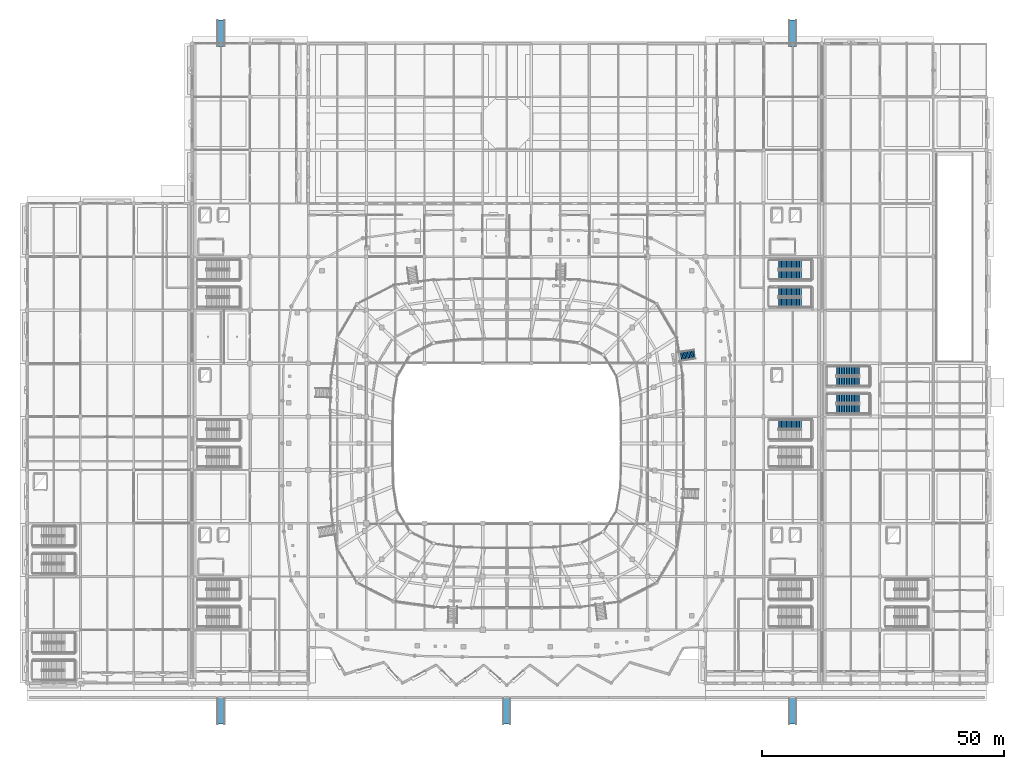
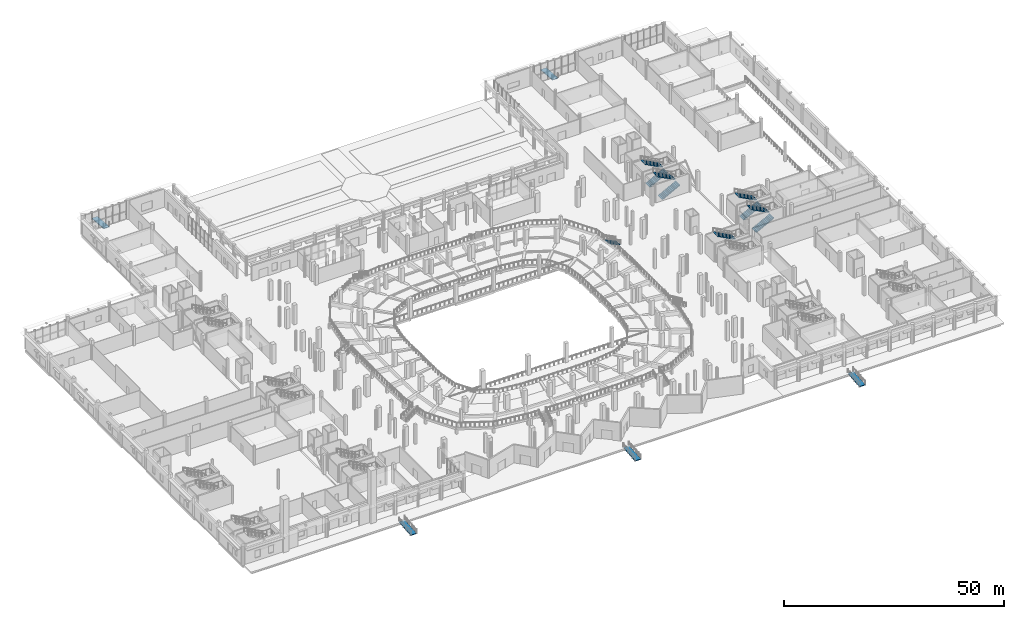
# One storey, part 73 of 120: 10 stair flights, 5 ramp flights, 11 elements without a shape of their own.
"""IFC4 building model written with IfcOpenShell, lengths in metres."""

from ifc_helpers import new_model, si_unit, direction, frame, origin, place, context, subcontext, project, spatial, polyline, outline, extrude, material, layer, layer_set, type_object, element, aggregate, save


model = new_model("IFC4")

# Units and contexts
model_context = context("Model", 3, precision=1e-05, world=origin(), true_north=direction((0.0, 1.0)))
body_context = subcontext(model_context, "Body", "Model", "MODEL_VIEW")
ifc_project = project(units=[si_unit("LENGTHUNIT", "METRE"), si_unit("AREAUNIT", "SQUARE_METRE"), si_unit("VOLUMEUNIT", "CUBIC_METRE"), si_unit("PLANEANGLEUNIT", "RADIAN"), si_unit("MASSUNIT", "GRAM", prefix="KILO")], contexts=[model_context])

# Site, building, storey
site_placement = place(None, origin())
site = spatial("IfcSite", under=ifc_project, at=site_placement, CompositionType="ELEMENT")
building_placement = place(site_placement, origin())
building = spatial("IfcBuilding", under=site, at=building_placement, Name="Luwafu Chhajja Arena", CompositionType="ELEMENT")
storey_placement = place(building_placement, origin())
storey = spatial("IfcBuildingStorey", under=building, at=storey_placement, Name="L00", CompositionType="ELEMENT", Elevation=0.0)

# Stair, stair flight
ifc_material_1 = material(Name="Precast concrete C40/50", Category="concrete")
stair_type_1 = type_object("IfcStairType", Name="Bowl Lower Vomitory Straight Stair 1820", PredefinedType="STRAIGHT_RUN_STAIR", material=ifc_material_1)
stair_1_placement = place(storey_placement, origin())
stair_1 = element("IfcStair", 1, at=stair_1_placement, inside=storey, type_object=stair_type_1, Name="L00 Bowl Vomitory Stair VM-01", PredefinedType="STRAIGHT_RUN_STAIR")
ifc_layer_1 = layer(ifc_material_1, 0.179931640625, Name="Precast concrete C40/50")
ifc_layer_set_1 = layer_set([ifc_layer_1], Name="Precast concrete C40/50")
stair_flight_type_1 = type_object("IfcStairFlightType", Name="Precast Vomitory Stair Flight 1820", PredefinedType="STRAIGHT", material=ifc_layer_set_1)
stair_flight_1_placement = place(storey_placement, frame((137.782470703125, 67.899658203125, 0.0), z_axis=(0.0, 0.0, 1.0), x_axis=(-0.987925008077, -0.154932819044, 0.0)))
stair_flight_1 = element("IfcStairFlight", 2, at=stair_flight_1_placement, type_object=stair_flight_type_1, Name="L00 Vomitory VM-01 StairFlight", NumberOfRisers=12, NumberOfTreads=11, PredefinedType="STRAIGHT", RiserHeight=0.154166667, TreadLength=0.285, context=body_context, shape_type="SweptSolid", body=[
    extrude(outline(polyline([(0.0, 0.0), (0.0, 0.154052734375), (0.284912109375, 0.154052734375), (0.284912109375, 0.308349609375), (0.570068359375, 0.308349609375), (0.570068359375, 0.46240234375), (0.85498046875, 0.46240234375), (0.85498046875, 0.61669921875), (1.139892578125, 0.61669921875), (1.139892578125, 0.770751953125), (1.425048828125, 0.770751953125), (1.425048828125, 0.925048828125), (1.7099609375, 0.925048828125), (1.7099609375, 1.0791015625), (1.9951171875, 1.0791015625), (1.9951171875, 1.2333984375), (2.280029296875, 1.2333984375), (2.280029296875, 1.387451171875), (2.56494140625, 1.387451171875), (2.56494140625, 1.541748046875), (2.85009765625, 1.541748046875), (2.85009765625, 1.69580078125), (3.135009765625, 1.69580078125), (3.135009765625, 1.85009765625), (3.135009765625, 1.4912109375), (0.378173828125, 0.0), (0.0, 0.0)])), frame((0.0, 0.91015625, 0.0), z_axis=(0.0, -1.0, 0.0), x_axis=(1.0, 0.0, 0.0)), (0.0, 0.0, 1.0), 1.820068359375),
])
aggregate(stair_1, [stair_flight_1])

# Stair, stair flights
ifc_material_2 = material(Name="Concrete C35/45", Category="concrete")
stair_type_2 = type_object("IfcStairType", Name="Quadrant Protected Dog-Leg Stair 1920", PredefinedType="HALF_TURN_STAIR", material=ifc_material_2)
stair_2_placement = place(storey_placement, origin())
stair_2 = element("IfcStair", 3, at=stair_2_placement, inside=storey, type_object=stair_type_2, Name="L00 Protected Escape Stair ST-07", PredefinedType="HALF_TURN_STAIR")
ifc_layer_2 = layer(ifc_material_2, 0.169921875, Name="Concrete C35/45")
ifc_layer_set_2 = layer_set([ifc_layer_2], Name="Concrete C35/45")
stair_flight_type_2 = type_object("IfcStairFlightType", Name="RC Escape Stair Flight 1920", PredefinedType="STRAIGHT", material=ifc_layer_set_2)
stair_flight_2_placement = place(storey_placement, frame((155.02001953125, 78.610107421875, 0.0), z_axis=(0.0, 0.0, 1.0), x_axis=(1.0, 0.0, 0.0)))
stair_flight_2 = element("IfcStairFlight", 4, at=stair_flight_2_placement, type_object=stair_flight_type_2, Name="ST-07 flight 1", NumberOfRisers=15, NumberOfTreads=14, PredefinedType="STRAIGHT", RiserHeight=0.18, TreadLength=0.34, context=body_context, shape_type="SweptSolid", body=[
    extrude(outline(polyline([(0.0, 0.0), (0.0, 0.179931640625), (0.340087890625, 0.179931640625), (0.340087890625, 0.360107421875), (0.679931640625, 0.360107421875), (0.679931640625, 0.5400390625), (1.02001953125, 0.5400390625), (1.02001953125, 0.719970703125), (1.360107421875, 0.719970703125), (1.360107421875, 0.89990234375), (1.699951171875, 0.89990234375), (1.699951171875, 1.080078125), (2.0400390625, 1.080078125), (2.0400390625, 1.260009765625), (2.3798828125, 1.260009765625), (2.3798828125, 1.43994140625), (2.719970703125, 1.43994140625), (2.719970703125, 1.6201171875), (3.06005859375, 1.6201171875), (3.06005859375, 1.800048828125), (3.39990234375, 1.800048828125), (3.39990234375, 1.97998046875), (3.739990234375, 1.97998046875), (3.739990234375, 2.159912109375), (4.080078125, 2.159912109375), (4.080078125, 2.340087890625), (4.419921875, 2.340087890625), (4.419921875, 2.52001953125), (4.760009765625, 2.52001953125), (4.760009765625, 2.699951171875), (4.760009765625, 2.32763671875), (0.36328125, 0.0), (0.0, 0.0)])), frame((0.0, 0.9599609375, 0.0), z_axis=(0.0, -1.0, 0.0), x_axis=(1.0, 0.0, 0.0)), (0.0, 0.0, 1.0), 1.919921875),
])
stair_flight_3_placement = place(storey_placement, frame((159.780029296875, 80.72998046875, 2.699951171875), z_axis=(0.0, 0.0, 1.0), x_axis=(-1.0, 0.0, 0.0)))
stair_flight_3 = element("IfcStairFlight", 5, at=stair_flight_3_placement, type_object=stair_flight_type_2, Name="ST-07 flight 2", NumberOfRisers=15, NumberOfTreads=14, PredefinedType="STRAIGHT", RiserHeight=0.18, TreadLength=0.34, context=body_context, shape_type="SweptSolid", body=[
    extrude(outline(polyline([(0.0, 0.0), (0.0, 0.179931640625), (0.340087890625, 0.179931640625), (0.340087890625, 0.360107421875), (0.679931640625, 0.360107421875), (0.679931640625, 0.5400390625), (1.02001953125, 0.5400390625), (1.02001953125, 0.719970703125), (1.360107421875, 0.719970703125), (1.360107421875, 0.89990234375), (1.699951171875, 0.89990234375), (1.699951171875, 1.080078125), (2.0400390625, 1.080078125), (2.0400390625, 1.260009765625), (2.3798828125, 1.260009765625), (2.3798828125, 1.43994140625), (2.719970703125, 1.43994140625), (2.719970703125, 1.6201171875), (3.06005859375, 1.6201171875), (3.06005859375, 1.800048828125), (3.39990234375, 1.800048828125), (3.39990234375, 1.97998046875), (3.739990234375, 1.97998046875), (3.739990234375, 2.159912109375), (4.080078125, 2.159912109375), (4.080078125, 2.340087890625), (4.419921875, 2.340087890625), (4.419921875, 2.52001953125), (4.760009765625, 2.52001953125), (4.760009765625, 2.699951171875), (4.760009765625, 2.32763671875), (0.36328125, 0.0), (0.0, 0.0)])), frame((0.0, 0.9599609375, 0.0), z_axis=(0.0, -1.0, 0.0), x_axis=(1.0, 0.0, 0.0)), (0.0, 0.0, 1.0), 1.919921875),
])
aggregate(stair_2, [stair_flight_2, stair_flight_3])

stair_3_placement = place(storey_placement, origin())
stair_3 = element("IfcStair", 6, at=stair_3_placement, inside=storey, type_object=stair_type_2, Name="L00 Protected Escape Stair ST-08", PredefinedType="HALF_TURN_STAIR")
stair_flight_4_placement = place(storey_placement, frame((155.02001953125, 84.27001953125, 0.0), z_axis=(0.0, 0.0, 1.0), x_axis=(1.0, 0.0, 0.0)))
stair_flight_4 = element("IfcStairFlight", 7, at=stair_flight_4_placement, type_object=stair_flight_type_2, Name="ST-08 flight 1", NumberOfRisers=15, NumberOfTreads=14, PredefinedType="STRAIGHT", RiserHeight=0.18, TreadLength=0.34, context=body_context, shape_type="SweptSolid", body=[
    extrude(outline(polyline([(0.0, 0.0), (0.0, 0.179931640625), (0.340087890625, 0.179931640625), (0.340087890625, 0.360107421875), (0.679931640625, 0.360107421875), (0.679931640625, 0.5400390625), (1.02001953125, 0.5400390625), (1.02001953125, 0.719970703125), (1.360107421875, 0.719970703125), (1.360107421875, 0.89990234375), (1.699951171875, 0.89990234375), (1.699951171875, 1.080078125), (2.0400390625, 1.080078125), (2.0400390625, 1.260009765625), (2.3798828125, 1.260009765625), (2.3798828125, 1.43994140625), (2.719970703125, 1.43994140625), (2.719970703125, 1.6201171875), (3.06005859375, 1.6201171875), (3.06005859375, 1.800048828125), (3.39990234375, 1.800048828125), (3.39990234375, 1.97998046875), (3.739990234375, 1.97998046875), (3.739990234375, 2.159912109375), (4.080078125, 2.159912109375), (4.080078125, 2.340087890625), (4.419921875, 2.340087890625), (4.419921875, 2.52001953125), (4.760009765625, 2.52001953125), (4.760009765625, 2.699951171875), (4.760009765625, 2.32763671875), (0.36328125, 0.0), (0.0, 0.0)])), frame((0.0, 0.9599609375, 0.0), z_axis=(0.0, -1.0, 0.0), x_axis=(1.0, 0.0, 0.0)), (0.0, 0.0, 1.0), 1.919921875),
])
stair_flight_5_placement = place(storey_placement, frame((159.780029296875, 86.389892578125, 2.699951171875), z_axis=(0.0, 0.0, 1.0), x_axis=(-1.0, 0.0, 0.0)))
stair_flight_5 = element("IfcStairFlight", 8, at=stair_flight_5_placement, type_object=stair_flight_type_2, Name="ST-08 flight 2", NumberOfRisers=15, NumberOfTreads=14, PredefinedType="STRAIGHT", RiserHeight=0.18, TreadLength=0.34, context=body_context, shape_type="SweptSolid", body=[
    extrude(outline(polyline([(0.0, 0.0), (0.0, 0.179931640625), (0.340087890625, 0.179931640625), (0.340087890625, 0.360107421875), (0.679931640625, 0.360107421875), (0.679931640625, 0.5400390625), (1.02001953125, 0.5400390625), (1.02001953125, 0.719970703125), (1.360107421875, 0.719970703125), (1.360107421875, 0.89990234375), (1.699951171875, 0.89990234375), (1.699951171875, 1.080078125), (2.0400390625, 1.080078125), (2.0400390625, 1.260009765625), (2.3798828125, 1.260009765625), (2.3798828125, 1.43994140625), (2.719970703125, 1.43994140625), (2.719970703125, 1.6201171875), (3.06005859375, 1.6201171875), (3.06005859375, 1.800048828125), (3.39990234375, 1.800048828125), (3.39990234375, 1.97998046875), (3.739990234375, 1.97998046875), (3.739990234375, 2.159912109375), (4.080078125, 2.159912109375), (4.080078125, 2.340087890625), (4.419921875, 2.340087890625), (4.419921875, 2.52001953125), (4.760009765625, 2.52001953125), (4.760009765625, 2.699951171875), (4.760009765625, 2.32763671875), (0.36328125, 0.0), (0.0, 0.0)])), frame((0.0, 0.9599609375, 0.0), z_axis=(0.0, -1.0, 0.0), x_axis=(1.0, 0.0, 0.0)), (0.0, 0.0, 1.0), 1.919921875),
])
aggregate(stair_3, [stair_flight_4, stair_flight_5])

# Stair, stair flight
stair_4_placement = place(storey_placement, origin())
stair_4 = element("IfcStair", 9, at=stair_4_placement, inside=storey, type_object=stair_type_2, Name="L00 Protected Escape Stair ST-12", PredefinedType="HALF_TURN_STAIR")
stair_flight_6_placement = place(storey_placement, frame((159.780029296875, 53.389892578125, 2.699951171875), z_axis=(0.0, 0.0, 1.0), x_axis=(-1.0, 0.0, 0.0)))
stair_flight_6 = element("IfcStairFlight", 10, at=stair_flight_6_placement, type_object=stair_flight_type_2, Name="ST-12 flight 2", NumberOfRisers=15, NumberOfTreads=14, PredefinedType="STRAIGHT", RiserHeight=0.18, TreadLength=0.34, context=body_context, shape_type="SweptSolid", body=[
    extrude(outline(polyline([(0.0, 0.0), (0.0, 0.179931640625), (0.340087890625, 0.179931640625), (0.340087890625, 0.360107421875), (0.679931640625, 0.360107421875), (0.679931640625, 0.5400390625), (1.02001953125, 0.5400390625), (1.02001953125, 0.719970703125), (1.360107421875, 0.719970703125), (1.360107421875, 0.89990234375), (1.699951171875, 0.89990234375), (1.699951171875, 1.080078125), (2.0400390625, 1.080078125), (2.0400390625, 1.260009765625), (2.3798828125, 1.260009765625), (2.3798828125, 1.43994140625), (2.719970703125, 1.43994140625), (2.719970703125, 1.6201171875), (3.06005859375, 1.6201171875), (3.06005859375, 1.800048828125), (3.39990234375, 1.800048828125), (3.39990234375, 1.97998046875), (3.739990234375, 1.97998046875), (3.739990234375, 2.159912109375), (4.080078125, 2.159912109375), (4.080078125, 2.340087890625), (4.419921875, 2.340087890625), (4.419921875, 2.52001953125), (4.760009765625, 2.52001953125), (4.760009765625, 2.699951171875), (4.760009765625, 2.32763671875), (0.36328125, 0.0), (0.0, 0.0)])), frame((0.0, 0.9599609375, 0.0), z_axis=(0.0, -1.0, 0.0), x_axis=(1.0, 0.0, 0.0)), (0.0, 0.0, 1.0), 1.919921875),
])
aggregate(stair_4, [stair_flight_6])

# Stair, stair flights
stair_5_placement = place(storey_placement, origin())
stair_5 = element("IfcStair", 11, at=stair_5_placement, inside=storey, type_object=stair_type_2, Name="L00 Protected Escape Stair ST-19", PredefinedType="HALF_TURN_STAIR")
stair_flight_7_placement = place(storey_placement, frame((167.02001953125, 56.610107421875, 0.0), z_axis=(0.0, 0.0, 1.0), x_axis=(1.0, 0.0, 0.0)))
stair_flight_7 = element("IfcStairFlight", 12, at=stair_flight_7_placement, type_object=stair_flight_type_2, Name="ST-19 flight 1", NumberOfRisers=15, NumberOfTreads=14, PredefinedType="STRAIGHT", RiserHeight=0.18, TreadLength=0.34, context=body_context, shape_type="SweptSolid", body=[
    extrude(outline(polyline([(0.0, 0.0), (0.0, 0.179931640625), (0.340087890625, 0.179931640625), (0.340087890625, 0.360107421875), (0.679931640625, 0.360107421875), (0.679931640625, 0.5400390625), (1.02001953125, 0.5400390625), (1.02001953125, 0.719970703125), (1.360107421875, 0.719970703125), (1.360107421875, 0.89990234375), (1.699951171875, 0.89990234375), (1.699951171875, 1.080078125), (2.0400390625, 1.080078125), (2.0400390625, 1.260009765625), (2.3798828125, 1.260009765625), (2.3798828125, 1.43994140625), (2.719970703125, 1.43994140625), (2.719970703125, 1.6201171875), (3.06005859375, 1.6201171875), (3.06005859375, 1.800048828125), (3.39990234375, 1.800048828125), (3.39990234375, 1.97998046875), (3.739990234375, 1.97998046875), (3.739990234375, 2.159912109375), (4.080078125, 2.159912109375), (4.080078125, 2.340087890625), (4.419921875, 2.340087890625), (4.419921875, 2.52001953125), (4.760009765625, 2.52001953125), (4.760009765625, 2.699951171875), (4.760009765625, 2.32763671875), (0.36328125, 0.0), (0.0, 0.0)])), frame((0.0, 0.9599609375, 0.0), z_axis=(0.0, -1.0, 0.0), x_axis=(1.0, 0.0, 0.0)), (0.0, 0.0, 1.0), 1.919921875),
])
stair_flight_8_placement = place(storey_placement, frame((171.780029296875, 58.72998046875, 2.699951171875), z_axis=(0.0, 0.0, 1.0), x_axis=(-1.0, 0.0, 0.0)))
stair_flight_8 = element("IfcStairFlight", 13, at=stair_flight_8_placement, type_object=stair_flight_type_2, Name="ST-19 flight 2", NumberOfRisers=15, NumberOfTreads=14, PredefinedType="STRAIGHT", RiserHeight=0.18, TreadLength=0.34, context=body_context, shape_type="SweptSolid", body=[
    extrude(outline(polyline([(0.0, 0.0), (0.0, 0.179931640625), (0.340087890625, 0.179931640625), (0.340087890625, 0.360107421875), (0.679931640625, 0.360107421875), (0.679931640625, 0.5400390625), (1.02001953125, 0.5400390625), (1.02001953125, 0.719970703125), (1.360107421875, 0.719970703125), (1.360107421875, 0.89990234375), (1.699951171875, 0.89990234375), (1.699951171875, 1.080078125), (2.0400390625, 1.080078125), (2.0400390625, 1.260009765625), (2.3798828125, 1.260009765625), (2.3798828125, 1.43994140625), (2.719970703125, 1.43994140625), (2.719970703125, 1.6201171875), (3.06005859375, 1.6201171875), (3.06005859375, 1.800048828125), (3.39990234375, 1.800048828125), (3.39990234375, 1.97998046875), (3.739990234375, 1.97998046875), (3.739990234375, 2.159912109375), (4.080078125, 2.159912109375), (4.080078125, 2.340087890625), (4.419921875, 2.340087890625), (4.419921875, 2.52001953125), (4.760009765625, 2.52001953125), (4.760009765625, 2.699951171875), (4.760009765625, 2.32763671875), (0.36328125, 0.0), (0.0, 0.0)])), frame((0.0, 0.9599609375, 0.0), z_axis=(0.0, -1.0, 0.0), x_axis=(1.0, 0.0, 0.0)), (0.0, 0.0, 1.0), 1.919921875),
])
aggregate(stair_5, [stair_flight_7, stair_flight_8])

stair_6_placement = place(storey_placement, origin())
stair_6 = element("IfcStair", 14, at=stair_6_placement, inside=storey, type_object=stair_type_2, Name="L00 Protected Escape Stair ST-20", PredefinedType="HALF_TURN_STAIR")
stair_flight_9_placement = place(storey_placement, frame((167.02001953125, 62.27001953125, 0.0), z_axis=(0.0, 0.0, 1.0), x_axis=(1.0, 0.0, 0.0)))
stair_flight_9 = element("IfcStairFlight", 15, at=stair_flight_9_placement, type_object=stair_flight_type_2, Name="ST-20 flight 1", NumberOfRisers=15, NumberOfTreads=14, PredefinedType="STRAIGHT", RiserHeight=0.18, TreadLength=0.34, context=body_context, shape_type="SweptSolid", body=[
    extrude(outline(polyline([(0.0, 0.0), (0.0, 0.179931640625), (0.340087890625, 0.179931640625), (0.340087890625, 0.360107421875), (0.679931640625, 0.360107421875), (0.679931640625, 0.5400390625), (1.02001953125, 0.5400390625), (1.02001953125, 0.719970703125), (1.360107421875, 0.719970703125), (1.360107421875, 0.89990234375), (1.699951171875, 0.89990234375), (1.699951171875, 1.080078125), (2.0400390625, 1.080078125), (2.0400390625, 1.260009765625), (2.3798828125, 1.260009765625), (2.3798828125, 1.43994140625), (2.719970703125, 1.43994140625), (2.719970703125, 1.6201171875), (3.06005859375, 1.6201171875), (3.06005859375, 1.800048828125), (3.39990234375, 1.800048828125), (3.39990234375, 1.97998046875), (3.739990234375, 1.97998046875), (3.739990234375, 2.159912109375), (4.080078125, 2.159912109375), (4.080078125, 2.340087890625), (4.419921875, 2.340087890625), (4.419921875, 2.52001953125), (4.760009765625, 2.52001953125), (4.760009765625, 2.699951171875), (4.760009765625, 2.32763671875), (0.36328125, 0.0), (0.0, 0.0)])), frame((0.0, 0.9599609375, 0.0), z_axis=(0.0, -1.0, 0.0), x_axis=(1.0, 0.0, 0.0)), (0.0, 0.0, 1.0), 1.919921875),
])
stair_flight_10_placement = place(storey_placement, frame((171.780029296875, 64.389892578125, 2.699951171875), z_axis=(0.0, 0.0, 1.0), x_axis=(-1.0, 0.0, 0.0)))
stair_flight_10 = element("IfcStairFlight", 16, at=stair_flight_10_placement, type_object=stair_flight_type_2, Name="ST-20 flight 2", NumberOfRisers=15, NumberOfTreads=14, PredefinedType="STRAIGHT", RiserHeight=0.18, TreadLength=0.34, context=body_context, shape_type="SweptSolid", body=[
    extrude(outline(polyline([(0.0, 0.0), (0.0, 0.179931640625), (0.340087890625, 0.179931640625), (0.340087890625, 0.360107421875), (0.679931640625, 0.360107421875), (0.679931640625, 0.5400390625), (1.02001953125, 0.5400390625), (1.02001953125, 0.719970703125), (1.360107421875, 0.719970703125), (1.360107421875, 0.89990234375), (1.699951171875, 0.89990234375), (1.699951171875, 1.080078125), (2.0400390625, 1.080078125), (2.0400390625, 1.260009765625), (2.3798828125, 1.260009765625), (2.3798828125, 1.43994140625), (2.719970703125, 1.43994140625), (2.719970703125, 1.6201171875), (3.06005859375, 1.6201171875), (3.06005859375, 1.800048828125), (3.39990234375, 1.800048828125), (3.39990234375, 1.97998046875), (3.739990234375, 1.97998046875), (3.739990234375, 2.159912109375), (4.080078125, 2.159912109375), (4.080078125, 2.340087890625), (4.419921875, 2.340087890625), (4.419921875, 2.52001953125), (4.760009765625, 2.52001953125), (4.760009765625, 2.699951171875), (4.760009765625, 2.32763671875), (0.36328125, 0.0), (0.0, 0.0)])), frame((0.0, 0.9599609375, 0.0), z_axis=(0.0, -1.0, 0.0), x_axis=(1.0, 0.0, 0.0)), (0.0, 0.0, 1.0), 1.919921875),
])
aggregate(stair_6, [stair_flight_9, stair_flight_10])

# Ramp, ramp flight
ramp_type = type_object("IfcRampType", Name="Accessible Pedestrian Ramp 1:12", PredefinedType="STRAIGHT_RUN_RAMP", material=ifc_material_2)
ramp_1_placement = place(storey_placement, origin())
ramp_1 = element("IfcRamp", 17, at=ramp_1_placement, inside=storey, type_object=ramp_type, Name="Accessible Pedestrian Ramp RA-01", PredefinedType="STRAIGHT_RUN_RAMP")
ifc_layer_3 = layer(ifc_material_2, 0.219970703125, Name="Concrete C35/45")
ifc_layer_set_3 = layer_set([ifc_layer_3], Name="Concrete C35/45")
ramp_flight_type = type_object("IfcRampFlightType", Name="Accessible Ramp Flight 1800", PredefinedType="STRAIGHT", material=ifc_layer_set_3)
ramp_flight_1_placement = place(storey_placement, frame((39.25, -8.449951171875, -0.449951171875), z_axis=(0.0, -0.083038022323, 0.996546379678), x_axis=(1.0, 0.0, 0.0)))
ramp_flight_1 = element("IfcRampFlight", 18, at=ramp_flight_1_placement, type_object=ramp_flight_type, Name="Accessible Ramp RA-01 Flight", PredefinedType="STRAIGHT", context=body_context, shape_type="SweptSolid", body=[
    extrude(outline(polyline([(0.0, 0.0), (1.5, 0.0), (1.5, 5.418616186731482), (0.0, 5.418616186731482), (0.0, 0.0)])), origin(), (0.0, 0.0, -1.0), 0.219970703125),
])
aggregate(ramp_1, [ramp_flight_1])

ramp_2_placement = place(storey_placement, origin())
ramp_2 = element("IfcRamp", 19, at=ramp_2_placement, inside=storey, type_object=ramp_type, Name="Accessible Pedestrian Ramp RA-02", PredefinedType="STRAIGHT_RUN_RAMP")
ramp_flight_2_placement = place(storey_placement, frame((98.25, -8.449951171875, -0.449951171875), z_axis=(0.0, -0.083038022323, 0.996546379678), x_axis=(1.0, 0.0, 0.0)))
ramp_flight_2 = element("IfcRampFlight", 20, at=ramp_flight_2_placement, type_object=ramp_flight_type, Name="Accessible Ramp RA-02 Flight", PredefinedType="STRAIGHT", context=body_context, shape_type="SweptSolid", body=[
    extrude(outline(polyline([(0.0, 0.0), (1.5, 0.0), (1.5, 5.418616186731482), (0.0, 5.418616186731482), (0.0, 0.0)])), origin(), (0.0, 0.0, -1.0), 0.219970703125),
])
aggregate(ramp_2, [ramp_flight_2])

ramp_3_placement = place(storey_placement, origin())
ramp_3 = element("IfcRamp", 21, at=ramp_3_placement, inside=storey, type_object=ramp_type, Name="Accessible Pedestrian Ramp RA-03", PredefinedType="STRAIGHT_RUN_RAMP")
ramp_flight_3_placement = place(storey_placement, frame((157.25, -8.449951171875, -0.449951171875), z_axis=(0.0, -0.083038022323, 0.996546379678), x_axis=(1.0, 0.0, 0.0)))
ramp_flight_3 = element("IfcRampFlight", 22, at=ramp_flight_3_placement, type_object=ramp_flight_type, Name="Accessible Ramp RA-03 Flight", PredefinedType="STRAIGHT", context=body_context, shape_type="SweptSolid", body=[
    extrude(outline(polyline([(0.0, 0.0), (1.5, 0.0), (1.5, 5.418616186731482), (0.0, 5.418616186731482), (0.0, 0.0)])), origin(), (0.0, 0.0, -1.0), 0.219970703125),
])
aggregate(ramp_3, [ramp_flight_3])

ramp_4_placement = place(storey_placement, origin())
ramp_4 = element("IfcRamp", 23, at=ramp_4_placement, inside=storey, type_object=ramp_type, Name="Accessible Pedestrian Ramp RA-04", PredefinedType="STRAIGHT_RUN_RAMP")
ramp_flight_4_placement = place(storey_placement, frame((39.25, 136.85009765625, -0.449951171875), z_axis=(0.0, 0.083034294059, 0.996546690331), x_axis=(1.0, 0.0, 0.0)))
ramp_flight_4 = element("IfcRampFlight", 24, at=ramp_flight_4_placement, type_object=ramp_flight_type, Name="Accessible Ramp RA-04 Flight", PredefinedType="STRAIGHT", context=body_context, shape_type="SweptSolid", body=[
    extrude(outline(polyline([(0.0, 0.0), (1.5, 0.0), (1.5, -5.418859484225381), (0.0, -5.418859484225381), (0.0, 0.0)])), origin(), (0.0, 0.0, -1.0), 0.219970703125),
])
aggregate(ramp_4, [ramp_flight_4])

ramp_5_placement = place(storey_placement, origin())
ramp_5 = element("IfcRamp", 25, at=ramp_5_placement, inside=storey, type_object=ramp_type, Name="Accessible Pedestrian Ramp RA-05", PredefinedType="STRAIGHT_RUN_RAMP")
ramp_flight_5_placement = place(storey_placement, frame((157.25, 136.85009765625, -0.449951171875), z_axis=(0.0, 0.083034294059, 0.996546690331), x_axis=(1.0, 0.0, 0.0)))
ramp_flight_5 = element("IfcRampFlight", 26, at=ramp_flight_5_placement, type_object=ramp_flight_type, Name="Accessible Ramp RA-05 Flight", PredefinedType="STRAIGHT", context=body_context, shape_type="SweptSolid", body=[
    extrude(outline(polyline([(0.0, 0.0), (1.5, 0.0), (1.5, -5.418859484225381), (0.0, -5.418859484225381), (0.0, 0.0)])), origin(), (0.0, 0.0, -1.0), 0.219970703125),
])
aggregate(ramp_5, [ramp_flight_5])

save(model, "model.ifc")
